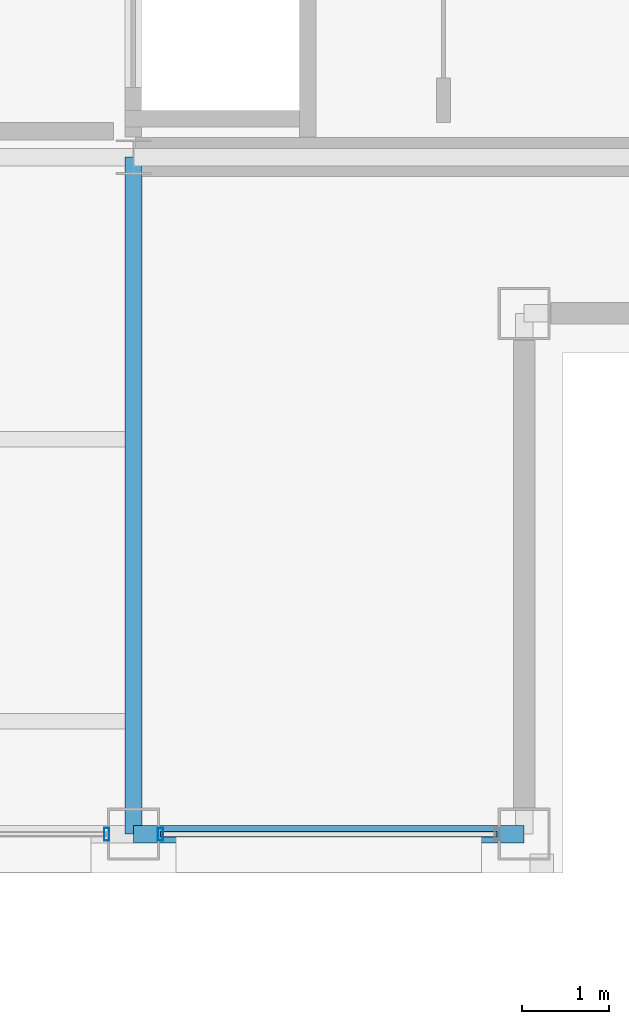
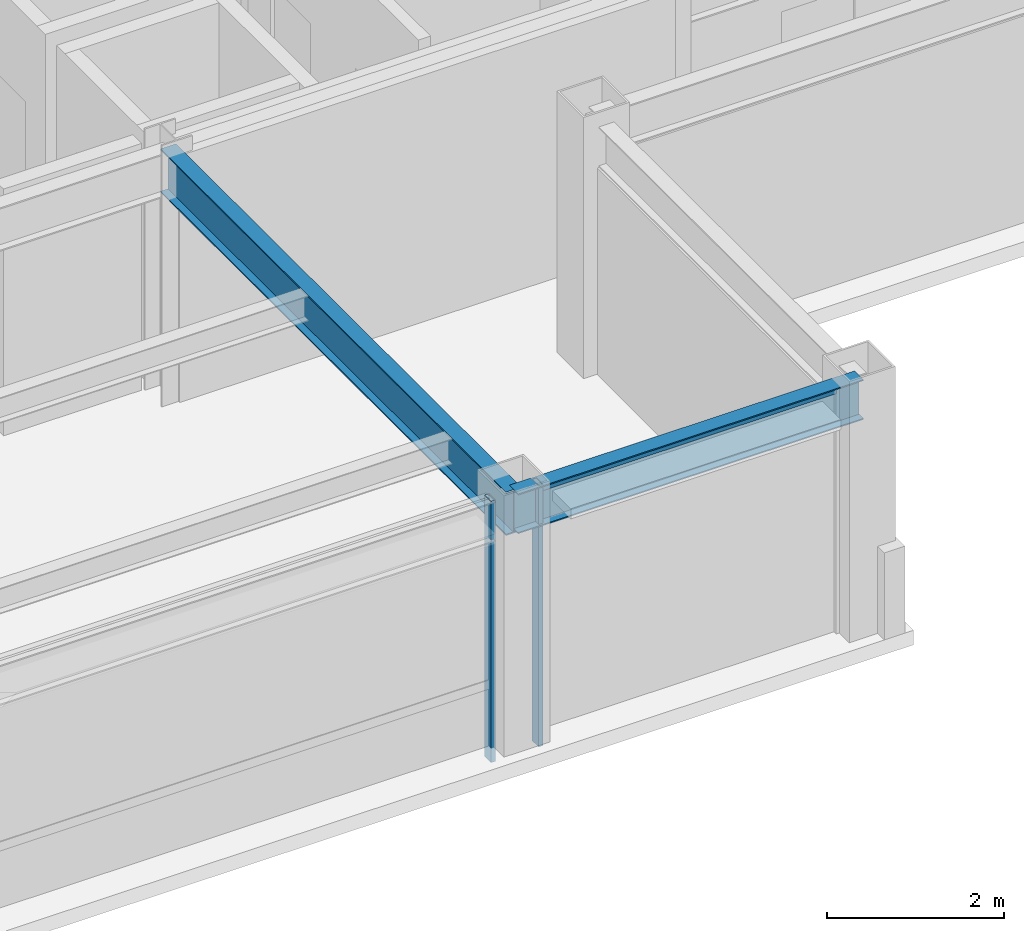
# One storey, part 7 of 24: 3 members, 2 beams, 2 elements without a shape of their own.
"""IFC4 building model written with IfcOpenShell, lengths in metres."""

from ifc_helpers import new_model, si_unit, direction, frame, origin, origin_2d, place, context, subcontext, project, spatial, hollow_rectangle, i_section, extrude, material, layer, layer_set, material_profile, profile_set, type_object, element, aggregate, save


model = new_model("IFC4")

# Units and contexts
model_context = context("Model", 3, precision=1e-05, world=origin(), true_north=direction((0.0, 1.0)))
body_context = subcontext(model_context, "Body", "Model", "MODEL_VIEW")
ifc_project = project(units=[si_unit("LENGTHUNIT", "METRE"), si_unit("AREAUNIT", "SQUARE_METRE"), si_unit("VOLUMEUNIT", "CUBIC_METRE"), si_unit("PLANEANGLEUNIT", "RADIAN"), si_unit("MASSUNIT", "GRAM", prefix="KILO")], contexts=[model_context])

# Site, building, storey
site_placement = place(None, origin())
site = spatial("IfcSite", under=ifc_project, at=site_placement, CompositionType="ELEMENT")
building_placement = place(site_placement, origin())
building = spatial("IfcBuilding", under=site, at=building_placement, Name="Brelmoor Portico Tower", CompositionType="ELEMENT")
storey_placement = place(building_placement, frame((0.0, 0.0, 261.60009765625)))
storey = spatial("IfcBuildingStorey", under=building, at=storey_placement, Name="L69", CompositionType="ELEMENT", Elevation=261.60009765625)

# Beams
ifc_material_1 = material(Name="Steel Q355B", Category="steel")
ifc_material_profile_1 = material_profile(ifc_material_1, i_section(OverallWidth=0.199951171875, OverallDepth=0.60009765625, WebThickness=0.010986328125, FlangeThickness=0.01708984375, at=origin_2d()), Name="HN 600x200x11x17")
ifc_profile_set_1 = profile_set([ifc_material_profile_1], Name="Steel Q355B")
beam_type_1 = type_object("IfcBeamType", Name="BM-PG-600", PredefinedType="BEAM", material=ifc_profile_set_1)
beam_1_placement = place(storey_placement, frame((8.050048828125, -17.550048828125, 3.099853515625), z_axis=(0.0, 1.0, 0.0), x_axis=(-1.0, 0.0, 0.0)))
element("IfcBeam", 1, at=beam_1_placement, inside=storey, type_object=beam_type_1, Name="L69 Primary Floor Girder PG-06", PredefinedType="BEAM", context=body_context, shape_type="SweptSolid", body=[
    extrude(i_section(OverallWidth=0.199951171875, OverallDepth=0.60009765625, WebThickness=0.010986328125, FlangeThickness=0.01708984375, at=origin_2d()), origin(), (0.0, 0.0, 1.0), 7.800048828125),
])
ifc_material_profile_2 = material_profile(ifc_material_1, i_section(OverallWidth=0.199951171875, OverallDepth=0.550048828125, WebThickness=0.010009765625, FlangeThickness=0.01611328125, at=origin_2d()), Name="HN 550x200x10x16")
ifc_profile_set_2 = profile_set([ifc_material_profile_2], Name="Steel Q355B")
beam_type_2 = type_object("IfcBeamType", Name="BM-SP-550", PredefinedType="SPANDREL", material=ifc_profile_set_2)
beam_2_placement = place(storey_placement, frame((8.050048828125, -17.550048828125, 3.125), z_axis=(1.0, 0.0, 0.0), x_axis=(0.0, 1.0, 0.0)))
element("IfcBeam", 2, at=beam_2_placement, inside=storey, type_object=beam_type_2, Name="L69 Perimeter Spandrel Beam SP-03", PredefinedType="SPANDREL", context=body_context, shape_type="SweptSolid", body=[
    extrude(i_section(OverallWidth=0.199951171875, OverallDepth=0.550048828125, WebThickness=0.010009765625, FlangeThickness=0.01611328125, at=origin_2d()), origin(), (0.0, 0.0, 1.0), 4.5),
])

# Curtain wall, member
ifc_material_2 = material(Name="Anodised Aluminium Alloy 6063-T6", Category="aluminium")
ifc_layer_1 = layer(ifc_material_2, 0.179931640625)
ifc_layer_set_1 = layer_set([ifc_layer_1], Name="Anodised Aluminium Alloy 6063-T6")
curtain_wall_type_1 = type_object("IfcCurtainWallType", Name="CW-TOWER-Z4", PredefinedType="NOTDEFINED", material=ifc_layer_set_1)
curtain_wall_1_placement = place(storey_placement, origin())
curtain_wall_1 = element("IfcCurtainWall", 3, at=curtain_wall_1_placement, inside=storey, type_object=curtain_wall_type_1, Name="L69 Curtain Wall CW-L69-1R-1", PredefinedType="NOTDEFINED")
ifc_material_profile_3 = material_profile(ifc_material_2, hollow_rectangle(XDim=0.06005859375, YDim=0.14990234375, WallThickness=0.00390625, at=origin_2d()), Name="ALU MULLION 60x150")
ifc_profile_set_3 = profile_set([ifc_material_profile_3], Name="Anodised Aluminium Alloy 6063-T6")
member_type_1 = type_object("IfcMemberType", Name="MB-CW-MULL-150", PredefinedType="MULLION", material=ifc_profile_set_3)
member_1_placement = place(storey_placement, frame((7.739990234375, -17.550048828125, -0.2001953125), z_axis=(0.0, 0.0, 1.0), x_axis=(1.0, 0.0, 0.0)))
member_1 = element("IfcMember", 4, at=member_1_placement, type_object=member_type_1, Name="CW-L69-1R-1 Mullion 01", PredefinedType="MULLION", context=body_context, shape_type="SweptSolid", body=[
    extrude(hollow_rectangle(XDim=0.06005859375, YDim=0.14990234375, WallThickness=0.00390625, at=origin_2d()), origin(), (0.0, 0.0, 1.0), 3.60009765625),
])
aggregate(curtain_wall_1, [member_1])

# Curtain wall, members
ifc_layer_2 = layer(ifc_material_2, 0.179931640625)
ifc_layer_set_2 = layer_set([ifc_layer_2], Name="Anodised Aluminium Alloy 6063-T6")
curtain_wall_type_2 = type_object("IfcCurtainWallType", Name="CW-TOWER-Z4-XB", PredefinedType="NOTDEFINED", material=ifc_layer_set_2)
curtain_wall_2_placement = place(storey_placement, origin())
curtain_wall_2 = element("IfcCurtainWall", 5, at=curtain_wall_2_placement, inside=storey, type_object=curtain_wall_type_2, Name="L69 Curtain Wall CW-L69-1R-2", PredefinedType="NOTDEFINED")
member_2_placement = place(storey_placement, frame((8.360107421875, -17.550048828125, -0.2001953125), z_axis=(0.0, 0.0, 1.0), x_axis=(1.0, 0.0, 0.0)))
member_2 = element("IfcMember", 6, at=member_2_placement, type_object=member_type_1, Name="CW-L69-1R-2 Mullion 00", PredefinedType="MULLION", context=body_context, shape_type="SweptSolid", body=[
    extrude(hollow_rectangle(XDim=0.06005859375, YDim=0.14990234375, WallThickness=0.00390625, at=origin_2d()), origin(), (0.0, 0.0, 1.0), 3.60009765625),
])
ifc_material_profile_4 = material_profile(ifc_material_2, hollow_rectangle(XDim=0.06005859375, YDim=0.125, WallThickness=0.00341796875, at=origin_2d()), Name="ALU TRANSOM 60x125")
ifc_profile_set_4 = profile_set([ifc_material_profile_4], Name="Anodised Aluminium Alloy 6063-T6")
member_type_2 = type_object("IfcMemberType", Name="MB-CW-TRAN-125", PredefinedType="USERDEFINED", material=ifc_profile_set_4)
member_3_placement = place(storey_placement, frame((8.360107421875, -17.550048828125, 3.33740234375), z_axis=(1.0, 0.0, 0.0), x_axis=(0.0, 1.0, 0.0)))
member_3 = element("IfcMember", 7, at=member_3_placement, type_object=member_type_2, Name="CW-L69-1R-2 Transom 1-00", ObjectType="TRANSOM", PredefinedType="USERDEFINED", context=body_context, shape_type="SweptSolid", body=[
    extrude(hollow_rectangle(XDim=0.06005859375, YDim=0.125, WallThickness=0.00341796875, at=origin_2d()), origin(), (0.0, 0.0, 1.0), 3.8798828125),
])
aggregate(curtain_wall_2, [member_2, member_3])

save(model, "model.ifc")
